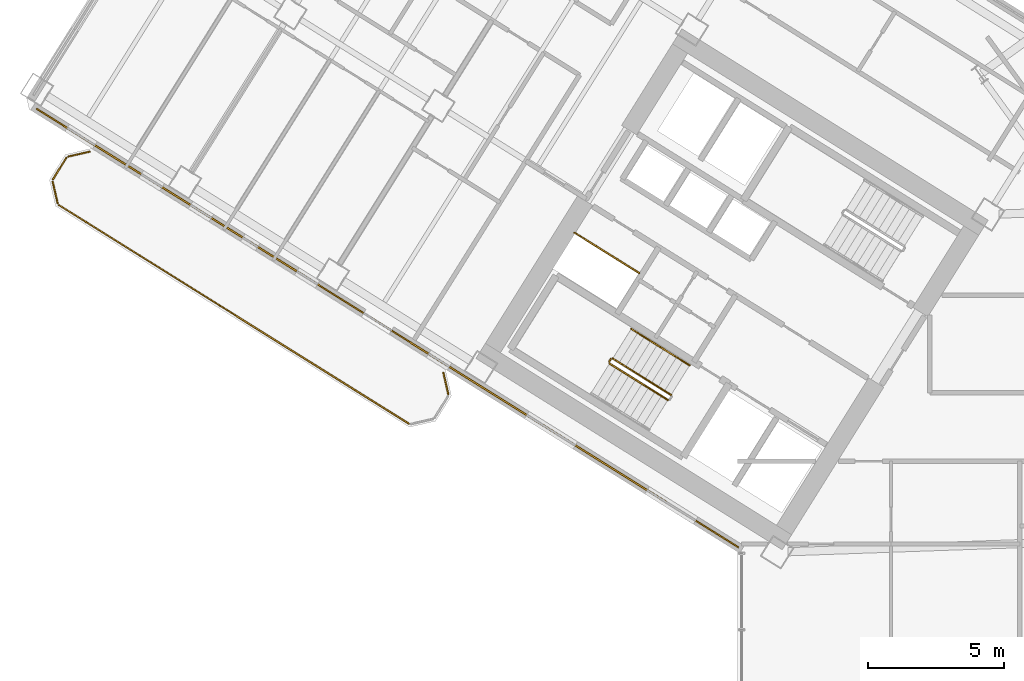
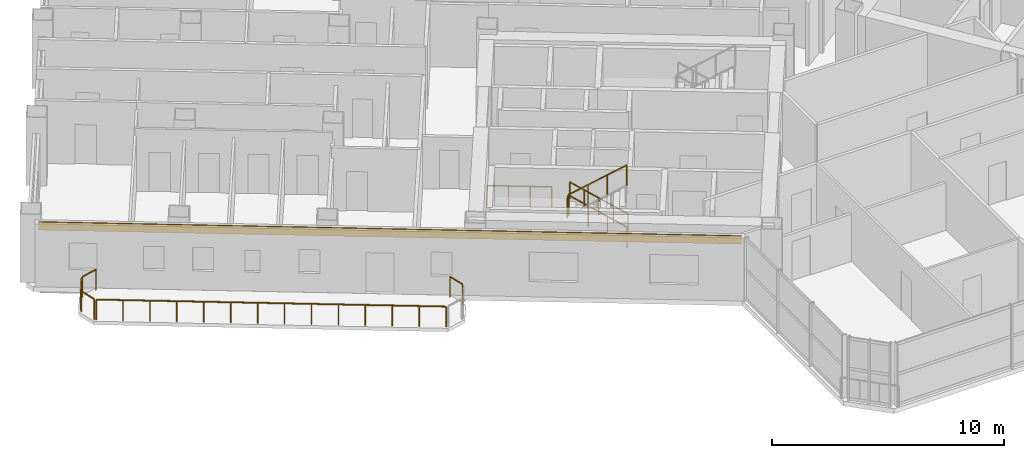
# One storey, part 19 of 22: 11 railings, 1 covering.
"""IFC4 building model written with IfcOpenShell, lengths in metres."""

from ifc_helpers import new_model, si_unit, direction, frame, origin, origin_2d, place, context, subcontext, project, spatial, rectangle, extrude, source, transform, mapped, material, layer, layer_set, type_object, element, save


model = new_model("IFC4")

# Units and contexts
model_context = context("Model", 3, precision=1e-05, world=origin(), true_north=direction((0.0, 1.0)))
body_context = subcontext(model_context, "Body", "Model", "MODEL_VIEW")
ifc_project = project(units=[si_unit("LENGTHUNIT", "METRE"), si_unit("AREAUNIT", "SQUARE_METRE"), si_unit("VOLUMEUNIT", "CUBIC_METRE"), si_unit("PLANEANGLEUNIT", "RADIAN"), si_unit("MASSUNIT", "GRAM", prefix="KILO")], contexts=[model_context])

# Site, building, storey
site_placement = place(None, origin())
site = spatial("IfcSite", under=ifc_project, at=site_placement, CompositionType="ELEMENT")
building_placement = place(site_placement, origin())
building = spatial("IfcBuilding", under=site, at=building_placement, Name="Tlacorven Tower", CompositionType="ELEMENT")
storey_placement = place(building_placement, frame((0.0, 0.0, 97.199951171875)))
storey = spatial("IfcBuildingStorey", under=building, at=storey_placement, Name="L24", CompositionType="ELEMENT", Elevation=97.199951171875)

# Railings
ifc_material_1 = material(Name="Aluminium and painted steel balustrade", Category="steel")
railing_type_1 = type_object("IfcRailingType", Name="RL-GRD-1100", PredefinedType="GUARDRAIL", material=ifc_material_1)
shared_shape_1 = source(origin(), body_context, "Body", "SweptSolid", [
    extrude(rectangle(XDim=0.048095703125, YDim=0.048095703125, at=origin_2d()), frame((0.0, 0.0, 1.076171875), z_axis=(-0.848091358275, 0.529850024081, 0.0), x_axis=(-0.529850024081, -0.848091358275, 0.0)), (0.0, 0.0, 1.0), 2.800048828125),
    extrude(rectangle(XDim=0.0419921875, YDim=0.0419921875, at=origin_2d()), origin(), (0.0, 0.0, 1.0), 1.052001953125),
    extrude(rectangle(XDim=0.0419921875, YDim=0.0419921875, at=origin_2d()), frame((-0.79150390625, 0.49462890625, 0.0)), (0.0, 0.0, 1.0), 1.052001953125),
    extrude(rectangle(XDim=0.0419921875, YDim=0.0419921875, at=origin_2d()), frame((-1.583251953125, 0.989013671875, 0.0)), (0.0, 0.0, 1.0), 1.052001953125),
    extrude(rectangle(XDim=0.0419921875, YDim=0.0419921875, at=origin_2d()), frame((-2.374755859375, 1.483642578125, 0.0)), (0.0, 0.0, 1.0), 1.052001953125),
])
railing_1_placement = place(storey_placement, frame((27.9912109375, 22.32080078125, 0.0)))
element("IfcRailing", 1, at=railing_1_placement, inside=storey, type_object=railing_type_1, Name="L24 Electrical Riser W Shaft Guard 1", PredefinedType="GUARDRAIL", context=body_context, shape_type="MappedRepresentation", body=[
    mapped(shared_shape_1, transform((0.0, 0.0, 0.0), scale=1.0)),
])
railing_type_2 = type_object("IfcRailingType", Name="RL-BAL-1100", PredefinedType="BALUSTRADE", material=ifc_material_1)
shared_shape_2 = source(origin(), body_context, "Body", "SweptSolid", [
    extrude(rectangle(XDim=0.048095703125, YDim=0.048095703125, at=origin_2d()), frame((0.0, 0.0, 1.076171875), z_axis=(0.225058334816, -0.974345290916, 0.0), x_axis=(0.974345290916, 0.225058334816, 0.0)), (0.0, 0.0, 1.0), 0.80712890625),
    extrude(rectangle(XDim=0.0419921875, YDim=0.0419921875, at=origin_2d()), origin(), (0.0, 0.0, 1.0), 1.052001953125),
    extrude(rectangle(XDim=0.0419921875, YDim=0.0419921875, at=origin_2d()), frame((0.181640625, -0.786376953125, 0.0)), (0.0, 0.0, 1.0), 1.052001953125),
])
railing_2_placement = place(storey_placement, frame((20.809814453125, 18.671142578125, 0.0)))
element("IfcRailing", 2, at=railing_2_placement, inside=storey, type_object=railing_type_2, Name="BAL-L24-W-OUT Guard Railing 1", PredefinedType="BALUSTRADE", context=body_context, shape_type="MappedRepresentation", body=[
    mapped(shared_shape_2, transform((0.0, 0.0, 0.0), scale=1.0)),
])
shared_shape_3 = source(origin(), body_context, "Body", "SweptSolid", [
    extrude(rectangle(XDim=0.048095703125, YDim=0.048095703125, at=origin_2d()), frame((0.0, 0.0, 1.076171875), z_axis=(-0.225058334816, 0.974345290916, 0.0), x_axis=(-0.974345290916, -0.225058334816, 0.0)), (0.0, 0.0, 1.0), 0.80712890625),
    extrude(rectangle(XDim=0.0419921875, YDim=0.0419921875, at=origin_2d()), origin(), (0.0, 0.0, 1.0), 1.052001953125),
    extrude(rectangle(XDim=0.0419921875, YDim=0.0419921875, at=origin_2d()), frame((-0.181640625, 0.786376953125, 0.0)), (0.0, 0.0, 1.0), 1.052001953125),
])
railing_3_placement = place(storey_placement, frame((6.66650390625, 24.88623046875, 0.0)))
element("IfcRailing", 3, at=railing_3_placement, inside=storey, type_object=railing_type_2, Name="BAL-L24-W-OUT Guard Railing 5", PredefinedType="BALUSTRADE", context=body_context, shape_type="MappedRepresentation", body=[
    mapped(shared_shape_3, transform((0.0, 0.0, 0.0), scale=1.0)),
])
shared_shape_4 = source(origin(), body_context, "Body", "SweptSolid", [
    extrude(rectangle(XDim=0.048095703125, YDim=0.048095703125, at=origin_2d()), frame((0.0, 0.0, 1.076171875), z_axis=(0.974411586182, 0.224771129628, 0.0), x_axis=(-0.224771129628, 0.974411586182, 0.0)), (0.0, 0.0, 1.0), 0.80712890625),
    extrude(rectangle(XDim=0.0419921875, YDim=0.0419921875, at=origin_2d()), origin(), (0.0, 0.0, 1.0), 1.052001953125),
    extrude(rectangle(XDim=0.0419921875, YDim=0.0419921875, at=origin_2d()), frame((0.786376953125, 0.181396484375, 0.0)), (0.0, 0.0, 1.0), 1.052001953125),
])
railing_4_placement = place(storey_placement, frame((7.05859375, 26.591064453125, 0.0)))
element("IfcRailing", 4, at=railing_4_placement, inside=storey, type_object=railing_type_2, Name="BAL-L24-W-OUT Guard Railing 7", PredefinedType="BALUSTRADE", context=body_context, shape_type="MappedRepresentation", body=[
    mapped(shared_shape_4, transform((0.0, 0.0, 0.0), scale=1.0)),
])
shared_shape_5 = source(origin(), body_context, "Body", "SweptSolid", [
    extrude(rectangle(XDim=0.048095703125, YDim=0.048095703125, at=origin_2d()), frame((0.0, 0.0, 1.076171875), z_axis=(0.529998940003, 0.847998304005, 0.0), x_axis=(-0.847998304005, 0.529998940003, 0.0)), (0.0, 0.0, 1.0), 0.912109375),
    extrude(rectangle(XDim=0.0419921875, YDim=0.0419921875, at=origin_2d()), origin(), (0.0, 0.0, 1.0), 1.052001953125),
    extrude(rectangle(XDim=0.0419921875, YDim=0.0419921875, at=origin_2d()), frame((0.4833984375, 0.7734375, 0.0)), (0.0, 0.0, 1.0), 1.052001953125),
])
railing_5_placement = place(storey_placement, frame((6.5, 25.763916015625, 0.0)))
element("IfcRailing", 5, at=railing_5_placement, inside=storey, type_object=railing_type_2, Name="BAL-L24-W-OUT Guard Railing 6", PredefinedType="BALUSTRADE", context=body_context, shape_type="MappedRepresentation", body=[
    mapped(shared_shape_5, transform((0.0, 0.0, 0.0), scale=1.0)),
])

# Covering
ifc_material_2 = material(Name="Precast concrete C45/55", Category="concrete")
ifc_layer = layer(ifc_material_2, 0.06005859375)
ifc_layer_set = layer_set([ifc_layer], Name="Precast concrete C45/55")
covering_type = type_object("IfcCoveringType", Name="CV-CLD-TERC", PredefinedType="CLADDING", material=ifc_layer_set)
shared_shape_6 = source(origin(), body_context, "Body", "SweptSolid", [
    extrude(rectangle(XDim=30.35205078125, YDim=0.06005859375, at=origin_2d()), origin(), (0.0, 0.0, 1.0), 0.419921875),
])
covering_placement = place(storey_placement, frame((18.7626953125, 20.3046875, 2.900146484375), z_axis=(0.0, 0.0, 1.0), x_axis=(-0.848048152806, 0.529919173576, 0.0)))
element("IfcCovering", 6, at=covering_placement, inside=storey, type_object=covering_type, Name="L24 Masonry-Frame Spandrel Cladding 1", PredefinedType="CLADDING", context=body_context, shape_type="MappedRepresentation", body=[
    mapped(shared_shape_6, transform((0.0, 0.0, 0.0), scale=1.0)),
])

# Railings
shared_shape_7 = source(origin(), body_context, "Body", "SweptSolid", [
    extrude(rectangle(XDim=0.048095703125, YDim=0.048095703125, at=origin_2d()), frame((0.0, 0.0, 1.076171875), z_axis=(-0.848051830527, 0.529913287944, 0.0), x_axis=(-0.529913287944, -0.848051830527, 0.0)), (0.0, 0.0, 1.0), 15.1171875),
    extrude(rectangle(XDim=0.0419921875, YDim=0.0419921875, at=origin_2d()), origin(), (0.0, 0.0, 1.0), 1.052001953125),
    extrude(rectangle(XDim=0.0419921875, YDim=0.0419921875, at=origin_2d()), frame((-0.986083984375, 0.6162109375, 0.0)), (0.0, 0.0, 1.0), 1.052001953125),
    extrude(rectangle(XDim=0.0419921875, YDim=0.0419921875, at=origin_2d()), frame((-1.972412109375, 1.232421875, 0.0)), (0.0, 0.0, 1.0), 1.052001953125),
    extrude(rectangle(XDim=0.0419921875, YDim=0.0419921875, at=origin_2d()), frame((-2.95849609375, 1.8486328125, 0.0)), (0.0, 0.0, 1.0), 1.052001953125),
    extrude(rectangle(XDim=0.0419921875, YDim=0.0419921875, at=origin_2d()), frame((-3.944580078125, 2.46484375, 0.0)), (0.0, 0.0, 1.0), 1.052001953125),
    extrude(rectangle(XDim=0.0419921875, YDim=0.0419921875, at=origin_2d()), frame((-4.930908203125, 3.0810546875, 0.0)), (0.0, 0.0, 1.0), 1.052001953125),
    extrude(rectangle(XDim=0.0419921875, YDim=0.0419921875, at=origin_2d()), frame((-5.9169921875, 3.697265625, 0.0)), (0.0, 0.0, 1.0), 1.052001953125),
    extrude(rectangle(XDim=0.0419921875, YDim=0.0419921875, at=origin_2d()), frame((-6.903076171875, 4.3134765625, 0.0)), (0.0, 0.0, 1.0), 1.052001953125),
    extrude(rectangle(XDim=0.0419921875, YDim=0.0419921875, at=origin_2d()), frame((-7.88916015625, 4.9296875, 0.0)), (0.0, 0.0, 1.0), 1.052001953125),
    extrude(rectangle(XDim=0.0419921875, YDim=0.0419921875, at=origin_2d()), frame((-8.87548828125, 5.5458984375, 0.0)), (0.0, 0.0, 1.0), 1.052001953125),
    extrude(rectangle(XDim=0.0419921875, YDim=0.0419921875, at=origin_2d()), frame((-9.861572265625, 6.162109375, 0.0)), (0.0, 0.0, 1.0), 1.052001953125),
    extrude(rectangle(XDim=0.0419921875, YDim=0.0419921875, at=origin_2d()), frame((-10.84765625, 6.7783203125, 0.0)), (0.0, 0.0, 1.0), 1.052001953125),
    extrude(rectangle(XDim=0.0419921875, YDim=0.0419921875, at=origin_2d()), frame((-11.833984375, 7.39453125, 0.0)), (0.0, 0.0, 1.0), 1.052001953125),
    extrude(rectangle(XDim=0.0419921875, YDim=0.0419921875, at=origin_2d()), frame((-12.820068359375, 8.0107421875, 0.0)), (0.0, 0.0, 1.0), 1.052001953125),
])
railing_6_placement = place(storey_placement, frame((19.5400390625, 16.80029296875, 0.0)))
element("IfcRailing", 7, at=railing_6_placement, inside=storey, type_object=railing_type_2, Name="BAL-L24-W-OUT Guard Railing 4", PredefinedType="BALUSTRADE", context=body_context, shape_type="MappedRepresentation", body=[
    mapped(shared_shape_7, transform((0.0, 0.0, 0.0), scale=1.0)),
])
shared_shape_8 = source(origin(), body_context, "Body", "SweptSolid", [
    extrude(rectangle(XDim=0.048095703125, YDim=0.048095703125, at=origin_2d()), frame((0.0, 0.0, 1.076171875), z_axis=(-0.713319727316, 0.445773895627, 0.540796265334), x_axis=(-0.529955395941, -0.84802551749, 0.0)), (0.0, 0.0, 1.0), 2.995849609375),
    extrude(rectangle(XDim=0.0419921875, YDim=0.0419921875, at=origin_2d()), origin(), (0.0, 0.0, 1.0), 1.052001953125),
    extrude(rectangle(XDim=0.0419921875, YDim=0.0419921875, at=origin_2d()), frame((-0.71240234375, 0.445068359375, 0.5400390625)), (0.0, 0.0, 1.0), 1.052001953125),
    extrude(rectangle(XDim=0.0419921875, YDim=0.0419921875, at=origin_2d()), frame((-1.424560546875, 0.890380859375, 1.080078125)), (0.0, 0.0, 1.0), 1.052001953125),
    extrude(rectangle(XDim=0.0419921875, YDim=0.0419921875, at=origin_2d()), frame((-2.136962890625, 1.33544921875, 1.6201171875)), (0.0, 0.0, 1.0), 1.052001953125),
])
railing_7_placement = place(storey_placement, frame((29.16064453125, 17.851806640625, 0.179931640625)))
element("IfcRailing", 8, at=railing_7_placement, inside=storey, type_object=railing_type_1, Name="L24 ST-W1 stair guard 1", PredefinedType="GUARDRAIL", context=body_context, shape_type="MappedRepresentation", body=[
    mapped(shared_shape_8, transform((0.0, 0.0, 0.0), scale=1.0)),
])
shared_shape_9 = source(origin(), body_context, "Body", "SweptSolid", [
    extrude(rectangle(XDim=0.048095703125, YDim=0.048095703125, at=origin_2d()), frame((0.0, 0.0, 1.076171875), z_axis=(-0.530546985787, -0.847655529016, 0.0), x_axis=(0.847655529016, -0.530546985787, 0.0)), (0.0, 0.0, 1.0), 0.1201171875),
    extrude(rectangle(XDim=0.0419921875, YDim=0.0419921875, at=origin_2d()), origin(), (0.0, 0.0, 1.0), 1.052001953125),
    extrude(rectangle(XDim=0.0419921875, YDim=0.0419921875, at=origin_2d()), frame((-0.063720703125, -0.101806640625, 0.0)), (0.0, 0.0, 1.0), 1.052001953125),
])
railing_8_placement = place(storey_placement, frame((26.954833984375, 19.17138671875, 1.800048828125)))
element("IfcRailing", 9, at=railing_8_placement, inside=storey, type_object=railing_type_1, Name="L24 ST-W1 stair guard 2", PredefinedType="GUARDRAIL", context=body_context, shape_type="MappedRepresentation", body=[
    mapped(shared_shape_9, transform((0.0, 0.0, 0.0), scale=1.0)),
])
shared_shape_10 = source(origin(), body_context, "Body", "SweptSolid", [
    extrude(rectangle(XDim=0.048095703125, YDim=0.048095703125, at=origin_2d()), frame((0.0, 0.0, 1.076171875), z_axis=(0.713359751793, -0.4457479829, 0.540764828981), x_axis=(0.529911857636, 0.848052724267, 0.0)), (0.0, 0.0, 1.0), 2.99609375),
    extrude(rectangle(XDim=0.0419921875, YDim=0.0419921875, at=origin_2d()), origin(), (0.0, 0.0, 1.0), 1.052001953125),
    extrude(rectangle(XDim=0.0419921875, YDim=0.0419921875, at=origin_2d()), frame((0.71240234375, -0.445068359375, 0.5400390625)), (0.0, 0.0, 1.0), 1.052001953125),
    extrude(rectangle(XDim=0.0419921875, YDim=0.0419921875, at=origin_2d()), frame((1.4248046875, -0.890380859375, 1.080078125)), (0.0, 0.0, 1.0), 1.052001953125),
    extrude(rectangle(XDim=0.0419921875, YDim=0.0419921875, at=origin_2d()), frame((2.13720703125, -1.33544921875, 1.6201171875)), (0.0, 0.0, 1.0), 1.052001953125),
])
railing_9_placement = place(storey_placement, frame((26.906982421875, 19.000732421875, 1.97998046875)))
element("IfcRailing", 10, at=railing_9_placement, inside=storey, type_object=railing_type_1, Name="L24 ST-W1 stair guard 3", PredefinedType="GUARDRAIL", context=body_context, shape_type="MappedRepresentation", body=[
    mapped(shared_shape_10, transform((0.0, 0.0, 0.0), scale=1.0)),
])
railing_type_3 = type_object("IfcRailingType", Name="RL-HND-0900", PredefinedType="HANDRAIL", material=ifc_material_1)
shared_shape_11 = source(origin(), body_context, "Body", "SweptSolid", [
    extrude(rectangle(XDim=0.048095703125, YDim=0.048095703125, at=origin_2d()), frame((0.0, 0.0, 0.8759765625), z_axis=(-0.713359751793, 0.4457479829, 0.540764828981), x_axis=(-0.529911857636, -0.848052724267, 0.0)), (0.0, 0.0, 1.0), 1.498046875),
    extrude(rectangle(XDim=0.0419921875, YDim=0.0419921875, at=origin_2d()), origin(), (0.0, 0.0, 1.0), 0.851806640625),
    extrude(rectangle(XDim=0.0419921875, YDim=0.0419921875, at=origin_2d()), frame((-0.5341796875, 0.333984375, 0.405029296875)), (0.0, 0.0, 1.0), 0.851806640625),
    extrude(rectangle(XDim=0.0419921875, YDim=0.0419921875, at=origin_2d()), frame((-1.068603515625, 0.667724609375, 0.81005859375)), (0.0, 0.0, 1.0), 0.851806640625),
])
for number, where, name in (
    (11, (29.839111328125, 18.937255859375, 0.179931640625), "L24 ST-W1 stair handrail 1"),
    (12, (28.7705078125, 19.60498046875, 0.989990234375), "L24 ST-W1 stair handrail 2"),
):
    element("IfcRailing", number, at=place(storey_placement, frame(where)), inside=storey, type_object=railing_type_3, Name=name, PredefinedType="HANDRAIL", context=body_context, shape_type="MappedRepresentation", body=[
        mapped(shared_shape_11, transform((0.0, 0.0, 0.0), scale=1.0)),
    ])

save(model, "model.ifc")
